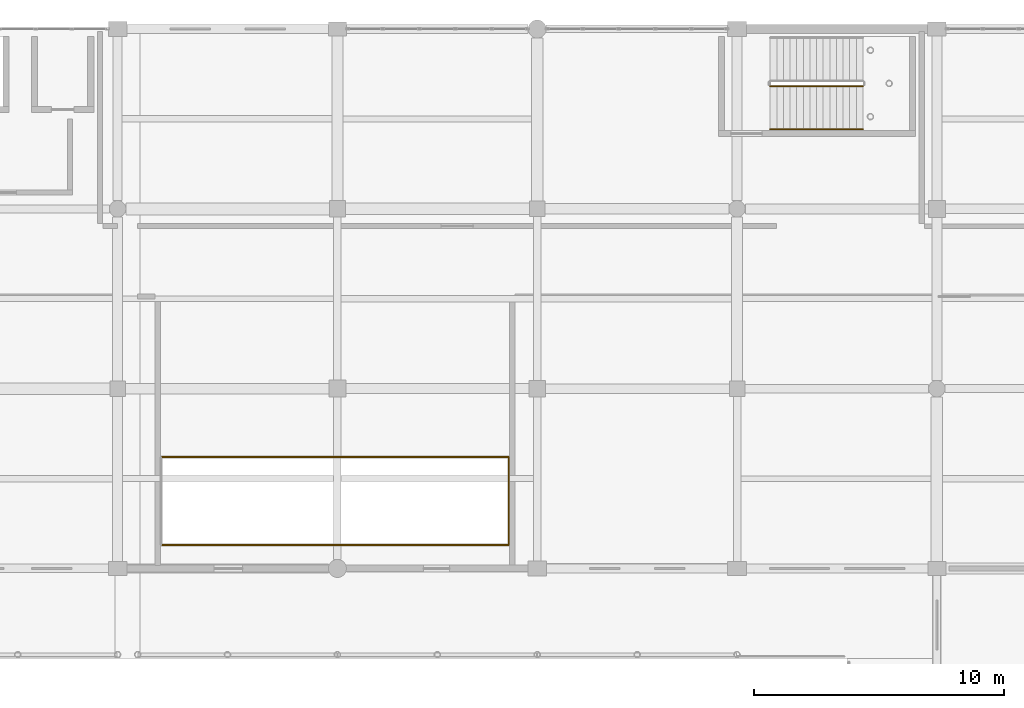
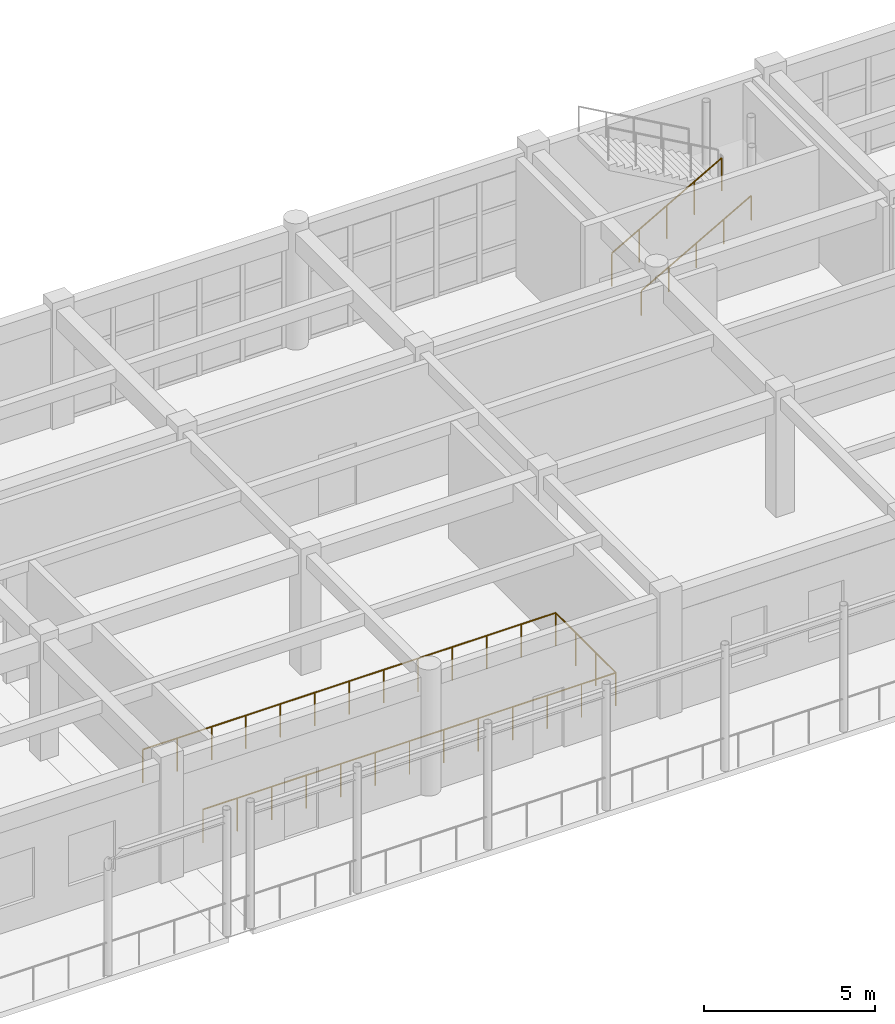
# One storey, part 159 of 160: 5 railings.
"""IFC4 building model written with IfcOpenShell, lengths in metres."""

import ifcopenshell
import ifcopenshell.guid

model = None  # the IFC model being written
_history = None  # IfcOwnerHistory: only IFC2X3 demands one
_inside = {}  # id of a spatial element -> (the spatial element, [elements in it])
_under = {}  # id of a project, library or spatial element -> (it, [spatial elements below it])
_declared = {}  # id of a project -> (the project, [libraries it declares])
_typed = {}  # id of a type object -> (the type object, [elements of that type])
_made_of = {}  # id of a material, layer set ... -> (it, [elements and type objects made of it])


def new_model(schema):
    """Start an empty IFC model of exactly this schema.

    Asked for "IFC4X3", IfcOpenShell would pick the latest addendum, in which some entities
    have other attributes; the version numbers below select the first issue.
    IFC2X3 requires an IfcOwnerHistory on every rooted entity: one is made here for all.
    """
    global model, _history
    if schema == "IFC4X3":
        model = ifcopenshell.file(schema_version=(4, 3, 0, 0))
    else:
        model = ifcopenshell.file(schema=schema)
    _inside.clear()
    _under.clear()
    _declared.clear()
    _typed.clear()
    _made_of.clear()
    _history = None
    if model.schema == "IFC2X3":
        org = make("IfcOrganization", Name="unknown")
        user = make(
            "IfcPersonAndOrganization",
            ThePerson=make("IfcPerson", FamilyName="unknown"),
            TheOrganization=org,
        )
        app = make(
            "IfcApplication",
            ApplicationDeveloper=org,
            Version="unknown",
            ApplicationFullName="unknown",
            ApplicationIdentifier="unknown",
        )
        _history = make(
            "IfcOwnerHistory",
            OwningUser=user,
            OwningApplication=app,
            ChangeAction="ADDED",
            CreationDate=0,
        )
    return model


def make(cls, **values):
    """One entity of the class cls with the attributes given. An attribute that is None is left unset."""
    return model.create_entity(
        cls, **{name: value for name, value in values.items() if value is not None}
    )


def rooted(cls, **values):
    """An entity with a GlobalId (a new one), such as an element, a storey or a relation."""
    return make(cls, GlobalId=ifcopenshell.guid.new(), OwnerHistory=_history, **values)


def si_unit(unit_type, name, prefix=None):
    """IfcSIUnit, for example si_unit("LENGTHUNIT", "METRE", prefix="MILLI")."""
    return make("IfcSIUnit", UnitType=unit_type, Prefix=prefix, Name=name)


def assignment(units):
    """IfcUnitAssignment: the units of a project."""
    return None if units is None else make("IfcUnitAssignment", Units=units)


def point(xyz):
    """IfcCartesianPoint."""
    return None if xyz is None else make("IfcCartesianPoint", Coordinates=xyz)


def direction(xyz):
    """IfcDirection."""
    return None if xyz is None else make("IfcDirection", DirectionRatios=xyz)


def frame(location, z_axis=None, x_axis=None):
    """IfcAxis2Placement3D, a coordinate frame: its origin and axes. An axis left out is left unset."""
    return make(
        "IfcAxis2Placement3D",
        Location=point(location),
        Axis=direction(z_axis),
        RefDirection=direction(x_axis),
    )


def frame_2d(location, x_axis=None):
    """IfcAxis2Placement2D, a coordinate frame in the plane: its origin and x axis."""
    return make(
        "IfcAxis2Placement2D", Location=point(location), RefDirection=direction(x_axis)
    )


def origin():
    """The frame at (0, 0, 0) with its axes left unset."""
    return frame((0.0, 0.0, 0.0))


def origin_2d():
    """The frame at (0, 0) in the plane with its x axis left unset."""
    return frame_2d((0.0, 0.0))


def place(relative_to, where):
    """IfcLocalPlacement: puts the frame where relative to a parent placement (None: the world)."""
    return make(
        "IfcLocalPlacement", PlacementRelTo=relative_to, RelativePlacement=where
    )


def context(
    kind, dimensions, precision=None, world=None, true_north=None, identifier=None
):
    """IfcGeometricRepresentationContext, for example the 3D "Model" context."""
    return make(
        "IfcGeometricRepresentationContext",
        ContextIdentifier=identifier,
        ContextType=kind,
        CoordinateSpaceDimension=dimensions,
        Precision=precision,
        WorldCoordinateSystem=world,
        TrueNorth=true_north,
    )


def subcontext(parent, identifier, kind, view, scale=None):
    """IfcGeometricRepresentationSubContext, for example "Body" below "Model"."""
    return make(
        "IfcGeometricRepresentationSubContext",
        ContextIdentifier=identifier,
        ContextType=kind,
        ParentContext=parent,
        TargetScale=scale,
        TargetView=view,
    )


def project(units=None, contexts=None):
    """IfcProject with its units and contexts."""
    return rooted(
        "IfcProject",
        Name="project",
        RepresentationContexts=contexts,
        UnitsInContext=assignment(units),
    )


def spatial(cls, under=None, at=None, **own):
    """A site, building, storey or space (cls), placed at a placement, below another one or the project."""
    s = rooted(cls, ObjectPlacement=at, **own)
    if under is not None:
        _under.setdefault(under.id(), (under, []))[1].append(s)
    return s


def profile(cls, at=None, kind="AREA", **sizes):
    """A parametric profile (cls). Its sizes go by their IFC names, for example OverallWidth=200.0."""
    return make(cls, ProfileType=kind, Position=at, **sizes)


def circle(**sizes):
    """IfcCircleProfileDef."""
    return profile("IfcCircleProfileDef", **sizes)


def extrude(swept, where, along, depth):
    """IfcExtrudedAreaSolid: the profile swept, set in the frame where, extruded along a direction by depth."""
    return make(
        "IfcExtrudedAreaSolid",
        SweptArea=swept,
        Position=where,
        ExtrudedDirection=direction(along),
        Depth=depth,
    )


def shape(context_of_items, identifier, shape_type, items):
    """IfcShapeRepresentation: the items that make up one representation, for example the "Body"."""
    return make(
        "IfcShapeRepresentation",
        ContextOfItems=context_of_items,
        RepresentationIdentifier=identifier,
        RepresentationType=shape_type,
        Items=items,
    )


def material(Name=None, Category=None):
    """IfcMaterial."""
    return make("IfcMaterial", Name=Name, Category=Category)


def made_of(thing, what):
    """Note that an element or type object is made of a material, layer set ...; save() writes the relation."""
    if what is not None:
        _made_of.setdefault(what.id(), (what, []))[1].append(thing)
    return thing


def type_object(cls, material=None, **own):
    """A type object (cls), such as IfcWallType, which elements share."""
    return made_of(rooted(cls, **own), material)


def element(
    cls,
    number,
    at=None,
    inside=None,
    cuts=None,
    type_object=None,
    material=None,
    context=None,
    identifier="Body",
    shape_type=None,
    held_by="IfcProductDefinitionShape",
    body=None,
    shapes=None,
    **own,
):
    """One element of the class cls, such as IfcWall. Its Tag is "e" and its number.

    at: its placement. inside: the storey or other place that contains it. cuts: it is an
    opening in that element (IfcRelVoidsElement). A single representation is given by context,
    identifier, shape_type and body (its items); several are given by shapes. held_by: the class
    of the entity that holds the representations. save() writes the other relations.
    """
    e = rooted(cls, Tag="e%d" % number, ObjectPlacement=at, **own)
    if body is not None:
        shapes = [shape(context, identifier, shape_type, body)]
    if shapes is not None:
        e.Representation = make(held_by, Representations=shapes)
    if inside is not None:
        _inside.setdefault(inside.id(), (inside, []))[1].append(e)
    if cuts is not None:
        rooted(
            "IfcRelVoidsElement", RelatingBuildingElement=cuts, RelatedOpeningElement=e
        )
    if type_object is not None:
        _typed.setdefault(type_object.id(), (type_object, []))[1].append(e)
    return made_of(e, material)


def aggregate(whole, parts):
    """IfcRelAggregates: a whole, such as a stair, and the parts it consists of."""
    return rooted("IfcRelAggregates", RelatingObject=whole, RelatedObjects=parts)


def save(model, path):
    """Write the relations noted so far, then the file.

    IfcRelAggregates (storeys below a building ...), IfcRelContainedInSpatialStructure (elements
    in a storey), IfcRelDefinesByType, IfcRelAssociatesMaterial and IfcRelDeclares: one each for
    every whole, place, type object, material and project.
    """
    for whole, parts in _under.values():
        aggregate(whole, parts)
    for where, things in _inside.values():
        rooted(
            "IfcRelContainedInSpatialStructure",
            RelatedElements=things,
            RelatingStructure=where,
        )
    for kind, things in _typed.values():
        rooted("IfcRelDefinesByType", RelatedObjects=things, RelatingType=kind)
    for what, things in _made_of.values():
        rooted("IfcRelAssociatesMaterial", RelatedObjects=things, RelatingMaterial=what)
    for by, libraries in _declared.values():
        rooted("IfcRelDeclares", RelatingContext=by, RelatedDefinitions=libraries)
    model.write(path)


model = new_model("IFC4")

# Units and contexts
model_context = context("Model", 3, precision=1e-05, world=origin(), true_north=direction((0.0, 1.0)))
body_context = subcontext(model_context, "Body", "Model", "MODEL_VIEW")
ifc_project = project(units=[si_unit("LENGTHUNIT", "METRE"), si_unit("AREAUNIT", "SQUARE_METRE"), si_unit("VOLUMEUNIT", "CUBIC_METRE"), si_unit("PLANEANGLEUNIT", "RADIAN"), si_unit("MASSUNIT", "GRAM", prefix="KILO")], contexts=[model_context])

# Site, building, storey
site_placement = place(None, origin())
site = spatial("IfcSite", under=ifc_project, at=site_placement, CompositionType="ELEMENT")
building_placement = place(site_placement, origin())
building = spatial("IfcBuilding", under=site, at=building_placement, Name="Kharva Crest Polytechnic", CompositionType="ELEMENT")
storey_placement = place(building_placement, frame((0.0, 0.0, 4.5)))
storey = spatial("IfcBuildingStorey", under=building, at=storey_placement, Name="L01", CompositionType="ELEMENT", Elevation=4.5)

# Railings
ifc_material_1 = material(Name="Anodised aluminium", Category="aluminium")
railing_type_1 = type_object("IfcRailingType", Name="RL-STAIR-GUARD-1200", PredefinedType="GUARDRAIL", material=ifc_material_1)
railing_1_placement = place(storey_placement, frame((146.1298828125, 119.7099609375, 0.14990234375)))
element("IfcRailing", 1, at=railing_1_placement, inside=storey, type_object=railing_type_1, Name="L01 ST-09 stair guard 1", PredefinedType="GUARDRAIL", context=body_context, shape_type="SweptSolid", body=[
    extrude(circle(Radius=0.02392578125, at=origin_2d()), frame((0.0, 0.0, 1.17578125), z_axis=(0.870258707807, 0.0, 0.492594946671), x_axis=(0.0, 1.0, 0.0)), (0.0, 0.0, 1.0), 4.263427734375),
    extrude(circle(Radius=0.02099609375, at=origin_2d()), origin(), (0.0, 0.0, 1.0), 1.15185546875),
    extrude(circle(Radius=0.02099609375, at=origin_2d()), frame((0.927490234375, 0.0, 0.52490234375)), (0.0, 0.0, 1.0), 1.15185546875),
    extrude(circle(Radius=0.02099609375, at=origin_2d()), frame((1.85498046875, 0.0, 1.050048828125)), (0.0, 0.0, 1.0), 1.15185546875),
    extrude(circle(Radius=0.02099609375, at=origin_2d()), frame((2.78271484375, 0.0, 1.5751953125)), (0.0, 0.0, 1.0), 1.15185546875),
    extrude(circle(Radius=0.02099609375, at=origin_2d()), frame((3.710205078125, 0.0, 2.10009765625)), (0.0, 0.0, 1.0), 1.15185546875),
])
ifc_material_2 = material(Name="Teak timber", Category="wood")
railing_type_2 = type_object("IfcRailingType", Name="RL-STAIR-HAND-900", PredefinedType="HANDRAIL", material=ifc_material_2)
railing_2_placement = place(storey_placement, frame((146.1298828125, 117.989990234375, 0.14990234375)))
element("IfcRailing", 2, at=railing_2_placement, inside=storey, type_object=railing_type_2, Name="L01 ST-09 stair handrail 1", PredefinedType="HANDRAIL", context=body_context, shape_type="SweptSolid", body=[
    extrude(circle(Radius=0.02392578125, at=origin_2d()), frame((0.0, 0.0, 0.8759765625), z_axis=(0.870258707807, 0.0, 0.492594946671), x_axis=(0.0, 1.0, 0.0)), (0.0, 0.0, 1.0), 4.263427734375),
    extrude(circle(Radius=0.02099609375, at=origin_2d()), origin(), (0.0, 0.0, 1.0), 0.851806640625),
    extrude(circle(Radius=0.02099609375, at=origin_2d()), frame((0.927490234375, 0.0, 0.52490234375)), (0.0, 0.0, 1.0), 0.851806640625),
    extrude(circle(Radius=0.02099609375, at=origin_2d()), frame((1.85498046875, 0.0, 1.050048828125)), (0.0, 0.0, 1.0), 0.851806640625),
    extrude(circle(Radius=0.02099609375, at=origin_2d()), frame((2.78271484375, 0.0, 1.5751953125)), (0.0, 0.0, 1.0), 0.851806640625),
    extrude(circle(Radius=0.02099609375, at=origin_2d()), frame((3.710205078125, 0.0, 2.10009765625)), (0.0, 0.0, 1.0), 0.851806640625),
])
railing_type_3 = type_object("IfcRailingType", Name="RL-VOID-GUARD-1200", PredefinedType="GUARDRAIL", material=ifc_material_1)
railing_3_placement = place(storey_placement, frame((121.739990234375, 101.340087890625, 0.0)))
element("IfcRailing", 3, at=railing_3_placement, inside=storey, type_object=railing_type_3, Name="L01 Atrium Void Guard 21", PredefinedType="GUARDRAIL", context=body_context, shape_type="SweptSolid", body=[
    extrude(circle(Radius=0.02392578125, at=origin_2d()), frame((0.0, 0.0, 1.17578125), z_axis=(1.0, 0.0, 0.0), x_axis=(0.0, 1.0, 0.0)), (0.0, 0.0, 1.0), 13.919921875),
    extrude(circle(Radius=0.02099609375, at=origin_2d()), origin(), (0.0, 0.0, 1.0), 1.15185546875),
    extrude(circle(Radius=0.02099609375, at=origin_2d()), frame((1.159912109375, 0.0, 0.0)), (0.0, 0.0, 1.0), 1.15185546875),
    extrude(circle(Radius=0.02099609375, at=origin_2d()), frame((2.320068359375, 0.0, 0.0)), (0.0, 0.0, 1.0), 1.15185546875),
    extrude(circle(Radius=0.02099609375, at=origin_2d()), frame((3.47998046875, 0.0, 0.0)), (0.0, 0.0, 1.0), 1.15185546875),
    extrude(circle(Radius=0.02099609375, at=origin_2d()), frame((4.639892578125, 0.0, 0.0)), (0.0, 0.0, 1.0), 1.15185546875),
    extrude(circle(Radius=0.02099609375, at=origin_2d()), frame((5.800048828125, 0.0, 0.0)), (0.0, 0.0, 1.0), 1.15185546875),
    extrude(circle(Radius=0.02099609375, at=origin_2d()), frame((6.9599609375, 0.0, 0.0)), (0.0, 0.0, 1.0), 1.15185546875),
    extrude(circle(Radius=0.02099609375, at=origin_2d()), frame((8.119873046875, 0.0, 0.0)), (0.0, 0.0, 1.0), 1.15185546875),
    extrude(circle(Radius=0.02099609375, at=origin_2d()), frame((9.280029296875, 0.0, 0.0)), (0.0, 0.0, 1.0), 1.15185546875),
    extrude(circle(Radius=0.02099609375, at=origin_2d()), frame((10.43994140625, 0.0, 0.0)), (0.0, 0.0, 1.0), 1.15185546875),
    extrude(circle(Radius=0.02099609375, at=origin_2d()), frame((11.599853515625, 0.0, 0.0)), (0.0, 0.0, 1.0), 1.15185546875),
    extrude(circle(Radius=0.02099609375, at=origin_2d()), frame((12.760009765625, 0.0, 0.0)), (0.0, 0.0, 1.0), 1.15185546875),
    extrude(circle(Radius=0.02099609375, at=origin_2d()), frame((13.919921875, 0.0, 0.0)), (0.0, 0.0, 1.0), 1.15185546875),
])
railing_4_placement = place(storey_placement, frame((135.659912109375, 101.340087890625, 0.0)))
element("IfcRailing", 4, at=railing_4_placement, inside=storey, type_object=railing_type_3, Name="L01 Atrium Void Guard 22", PredefinedType="GUARDRAIL", context=body_context, shape_type="SweptSolid", body=[
    extrude(circle(Radius=0.02392578125, at=origin_2d()), frame((0.0, 0.0, 1.17578125), z_axis=(0.0, 1.0, 0.0), x_axis=(-1.0, 0.0, 0.0)), (0.0, 0.0, 1.0), 3.52001953125),
    extrude(circle(Radius=0.02099609375, at=origin_2d()), origin(), (0.0, 0.0, 1.0), 1.15185546875),
    extrude(circle(Radius=0.02099609375, at=origin_2d()), frame((0.0, 1.17333984375, 0.0)), (0.0, 0.0, 1.0), 1.15185546875),
    extrude(circle(Radius=0.02099609375, at=origin_2d()), frame((0.0, 2.3466796875, 0.0)), (0.0, 0.0, 1.0), 1.15185546875),
    extrude(circle(Radius=0.02099609375, at=origin_2d()), frame((0.0, 3.52001953125, 0.0)), (0.0, 0.0, 1.0), 1.15185546875),
])
railing_5_placement = place(storey_placement, frame((135.659912109375, 104.860107421875, 0.0)))
element("IfcRailing", 5, at=railing_5_placement, inside=storey, type_object=railing_type_3, Name="L01 Atrium Void Guard 23", PredefinedType="GUARDRAIL", context=body_context, shape_type="SweptSolid", body=[
    extrude(circle(Radius=0.02392578125, at=origin_2d()), frame((0.0, 0.0, 1.17578125), z_axis=(-1.0, 0.0, 0.0), x_axis=(0.0, -1.0, 0.0)), (0.0, 0.0, 1.0), 13.919921875),
    extrude(circle(Radius=0.02099609375, at=origin_2d()), origin(), (0.0, 0.0, 1.0), 1.15185546875),
    extrude(circle(Radius=0.02099609375, at=origin_2d()), frame((-1.159912109375, 0.0, 0.0)), (0.0, 0.0, 1.0), 1.15185546875),
    extrude(circle(Radius=0.02099609375, at=origin_2d()), frame((-2.320068359375, 0.0, 0.0)), (0.0, 0.0, 1.0), 1.15185546875),
    extrude(circle(Radius=0.02099609375, at=origin_2d()), frame((-3.47998046875, 0.0, 0.0)), (0.0, 0.0, 1.0), 1.15185546875),
    extrude(circle(Radius=0.02099609375, at=origin_2d()), frame((-4.639892578125, 0.0, 0.0)), (0.0, 0.0, 1.0), 1.15185546875),
    extrude(circle(Radius=0.02099609375, at=origin_2d()), frame((-5.800048828125, 0.0, 0.0)), (0.0, 0.0, 1.0), 1.15185546875),
    extrude(circle(Radius=0.02099609375, at=origin_2d()), frame((-6.9599609375, 0.0, 0.0)), (0.0, 0.0, 1.0), 1.15185546875),
    extrude(circle(Radius=0.02099609375, at=origin_2d()), frame((-8.119873046875, 0.0, 0.0)), (0.0, 0.0, 1.0), 1.15185546875),
    extrude(circle(Radius=0.02099609375, at=origin_2d()), frame((-9.280029296875, 0.0, 0.0)), (0.0, 0.0, 1.0), 1.15185546875),
    extrude(circle(Radius=0.02099609375, at=origin_2d()), frame((-10.43994140625, 0.0, 0.0)), (0.0, 0.0, 1.0), 1.15185546875),
    extrude(circle(Radius=0.02099609375, at=origin_2d()), frame((-11.599853515625, 0.0, 0.0)), (0.0, 0.0, 1.0), 1.15185546875),
    extrude(circle(Radius=0.02099609375, at=origin_2d()), frame((-12.760009765625, 0.0, 0.0)), (0.0, 0.0, 1.0), 1.15185546875),
    extrude(circle(Radius=0.02099609375, at=origin_2d()), frame((-13.919921875, 0.0, 0.0)), (0.0, 0.0, 1.0), 1.15185546875),
])

save(model, "model.ifc")
